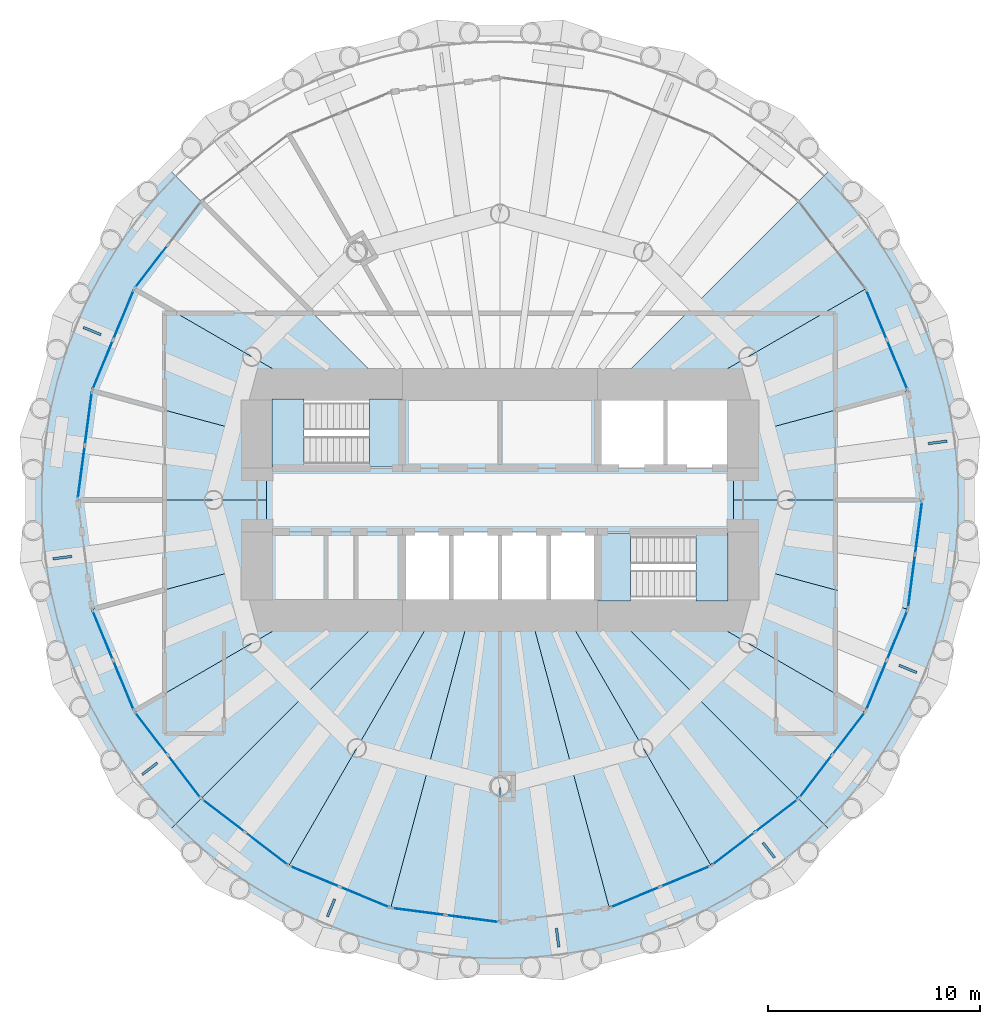
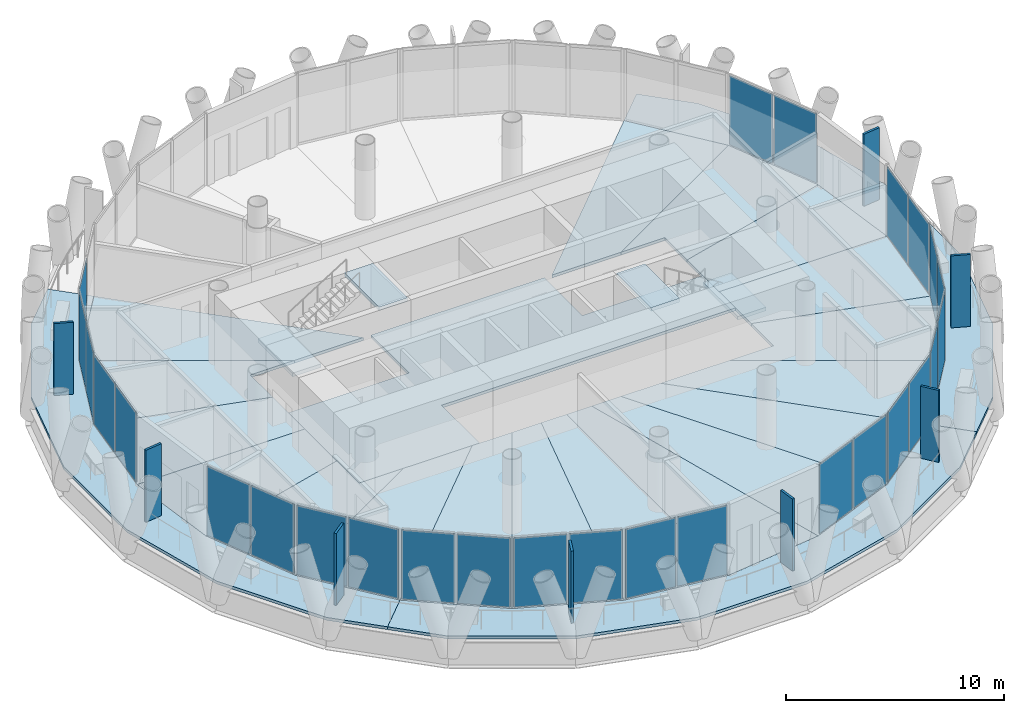
# One storey, part 8 of 16: 35 plates, 26 slabs, 16 elements without a shape of their own.
"""IFC4 building model written with IfcOpenShell, lengths in metres."""

from ifc_helpers import new_model, si_unit, direction, frame, origin, origin_2d, place, context, subcontext, project, spatial, polyline, rectangle, outline, extrude, material, layer, layer_set, type_object, element, aggregate, save


model = new_model("IFC4")

# Units and contexts
model_context = context("Model", 3, precision=1e-05, world=origin(), true_north=direction((0.0, 1.0)))
body_context = subcontext(model_context, "Body", "Model", "MODEL_VIEW")
ifc_project = project(units=[si_unit("LENGTHUNIT", "METRE"), si_unit("AREAUNIT", "SQUARE_METRE"), si_unit("VOLUMEUNIT", "CUBIC_METRE"), si_unit("PLANEANGLEUNIT", "RADIAN"), si_unit("MASSUNIT", "GRAM", prefix="KILO")], contexts=[model_context])

# Site, building, storey
site_placement = place(None, origin())
site = spatial("IfcSite", under=ifc_project, at=site_placement, CompositionType="ELEMENT")
building_placement = place(site_placement, origin())
building = spatial("IfcBuilding", under=site, at=building_placement, Name="Qaws Media Tower", CompositionType="ELEMENT")
storey_placement = place(building_placement, frame((0.0, 0.0, 252.800048828125)))
storey = spatial("IfcBuildingStorey", under=building, at=storey_placement, Name="L58", CompositionType="ELEMENT", Elevation=252.800048828125)

# Slabs
ifc_material_1 = material(Name="Concrete C35/45", Category="concrete")
ifc_layer_1 = layer(ifc_material_1, 0.159912109375)
ifc_layer_set_1 = layer_set([ifc_layer_1], Name="Composite balcony slab 160")
slab_type_1 = type_object("IfcSlabType", Name="Composite balcony slab 160", PredefinedType="FLOOR", material=ifc_layer_set_1)
slab_1_placement = place(storey_placement, frame((0.0, 0.0, -0.16015625)))
element("IfcSlab", 1, at=slab_1_placement, inside=storey, type_object=slab_type_1, Name="S2 balcony slab L58 R10 to R16, movement joints on R10 and R16", PredefinedType="FLOOR", context=body_context, shape_type="SweptSolid", body=[
    extrude(outline(polyline([(42.30810546875, 36.424560546875), (39.3974609375, 41.46630859375), (37.890869140625, 47.08935546875), (37.890869140625, 52.91064453125), (39.3974609375, 58.53369140625), (42.30810546875, 63.575439453125), (44.366455078125, 65.633544921875), (45.9287109375, 64.0712890625), (42.76611328125, 59.949951171875), (40.778076171875, 55.150390625), (40.10009765625, 50.0), (40.778076171875, 44.849609375), (42.76611328125, 40.050048828125), (45.9287109375, 35.9287109375), (44.366455078125, 34.366455078125), (42.30810546875, 36.424560546875)])), origin(), (0.0, 0.0, 1.0), 0.16015625),
])
slab_2_placement = place(storey_placement, frame((0.0, 0.0, -0.16015625)))
element("IfcSlab", 2, at=slab_2_placement, inside=storey, type_object=slab_type_1, Name="S2 balcony slab L58 R16 to R22, movement joints on R16 and R22", PredefinedType="FLOOR", context=body_context, shape_type="SweptSolid", body=[
    extrude(outline(polyline([(73.575439453125, 32.30810546875), (68.53369140625, 29.3974609375), (62.91064453125, 27.890869140625), (57.08935546875, 27.890869140625), (51.46630859375, 29.3974609375), (46.424560546875, 32.30810546875), (44.366455078125, 34.366455078125), (45.9287109375, 35.9287109375), (50.050048828125, 32.76611328125), (54.849609375, 30.778076171875), (60.0, 30.10009765625), (65.150390625, 30.778076171875), (69.949951171875, 32.76611328125), (74.0712890625, 35.9287109375), (75.633544921875, 34.366455078125), (73.575439453125, 32.30810546875)])), origin(), (0.0, 0.0, 1.0), 0.16015625),
])
slab_3_placement = place(storey_placement, frame((0.0, 0.0, -0.16015625)))
element("IfcSlab", 3, at=slab_3_placement, inside=storey, type_object=slab_type_1, Name="S2 balcony slab L58 R22 to R04, movement joints on R22 and R04", PredefinedType="FLOOR", context=body_context, shape_type="SweptSolid", body=[
    extrude(outline(polyline([(80.6025390625, 41.46630859375), (77.69189453125, 36.424560546875), (75.633544921875, 34.366455078125), (74.0712890625, 35.9287109375), (77.23388671875, 40.050048828125), (79.221923828125, 44.849609375), (79.89990234375, 50.0), (79.221923828125, 55.150390625), (77.23388671875, 59.949951171875), (74.0712890625, 64.0712890625), (75.633544921875, 65.633544921875), (77.69189453125, 63.575439453125), (80.6025390625, 58.53369140625), (82.109130859375, 52.91064453125), (82.109130859375, 47.08935546875), (80.6025390625, 41.46630859375)])), origin(), (0.0, 0.0, 1.0), 0.16015625),
])
ifc_material_2 = material(Name="Concrete C35/45", Category="concrete")
ifc_layer_2 = layer(ifc_material_2, 0.159912109375)
ifc_layer_set_2 = layer_set([ifc_layer_2], Name="Composite floor slab 160")
slab_type_2 = type_object("IfcSlabType", Name="Composite floor slab 160", PredefinedType="FLOOR", material=ifc_layer_set_2)
slab_4_placement = place(storey_placement, frame((0.0, 0.0, -0.16015625)))
element("IfcSlab", 4, at=slab_4_placement, inside=storey, type_object=slab_type_2, Name="S1 core floor slab L58", PredefinedType="FLOOR", context=body_context, shape_type="SweptSolid", body=[
    extrude(outline(polyline([(71.0, 51.5), (71.0, 48.5), (55.39990234375, 48.5), (55.39990234375, 45.0), (49.0, 45.0), (49.0, 51.5), (55.39990234375, 51.5), (55.39990234375, 55.0), (64.60009765625, 55.0), (64.60009765625, 51.5), (71.0, 51.5)])), origin(), (0.0, 0.0, 1.0), 0.16015625),
])
slab_5_placement = place(storey_placement, frame((0.0, 0.0, -0.16015625)))
element("IfcSlab", 5, at=slab_5_placement, inside=storey, type_object=slab_type_2, Name="S1 floor panel L58 on R01+7.5", PredefinedType="FLOOR", context=body_context, shape_type="SweptSolid", body=[
    extrude(outline(polyline([(79.221923828125, 55.150390625), (79.89990234375, 50.0), (71.0, 50.0), (71.0, 52.947509765625), (79.221923828125, 55.150390625)])), origin(), (0.0, 0.0, 1.0), 0.16015625),
])
slab_6_placement = place(storey_placement, frame((0.0, 0.0, -0.16015625)))
element("IfcSlab", 6, at=slab_6_placement, inside=storey, type_object=slab_type_2, Name="S1 floor panel L58 on R02+7.5", PredefinedType="FLOOR", context=body_context, shape_type="SweptSolid", body=[
    extrude(outline(polyline([(77.23388671875, 59.949951171875), (79.221923828125, 55.150390625), (71.0, 52.947509765625), (71.0, 55.0), (68.660400390625, 55.0), (77.23388671875, 59.949951171875)])), origin(), (0.0, 0.0, 1.0), 0.16015625),
])
slab_7_placement = place(storey_placement, frame((0.0, 0.0, -0.16015625)))
element("IfcSlab", 7, at=slab_7_placement, inside=storey, type_object=slab_type_2, Name="S1 floor panel L58 on R03+7.5", PredefinedType="FLOOR", context=body_context, shape_type="SweptSolid", body=[
    extrude(outline(polyline([(77.23388671875, 59.949951171875), (68.660400390625, 55.0), (65.0, 55.0), (74.0712890625, 64.0712890625), (77.23388671875, 59.949951171875)])), origin(), (0.0, 0.0, 1.0), 0.16015625),
])
slab_8_placement = place(storey_placement, frame((0.0, 0.0, -0.16015625)))
element("IfcSlab", 8, at=slab_8_placement, inside=storey, type_object=slab_type_2, Name="S1 floor panel L58 on R10+7.5", PredefinedType="FLOOR", context=body_context, shape_type="SweptSolid", body=[
    extrude(outline(polyline([(45.9287109375, 64.0712890625), (55.0, 55.0), (51.339599609375, 55.0), (42.76611328125, 59.949951171875), (45.9287109375, 64.0712890625)])), origin(), (0.0, 0.0, 1.0), 0.16015625),
])
slab_9_placement = place(storey_placement, frame((0.0, 0.0, -0.16015625)))
element("IfcSlab", 9, at=slab_9_placement, inside=storey, type_object=slab_type_2, Name="S1 floor panel L58 on R11+7.5", PredefinedType="FLOOR", context=body_context, shape_type="SweptSolid", body=[
    extrude(outline(polyline([(40.778076171875, 55.150390625), (42.76611328125, 59.949951171875), (51.339599609375, 55.0), (49.0, 55.0), (49.0, 52.947509765625), (40.778076171875, 55.150390625)])), origin(), (0.0, 0.0, 1.0), 0.16015625),
])
slab_10_placement = place(storey_placement, frame((0.0, 0.0, -0.16015625)))
element("IfcSlab", 10, at=slab_10_placement, inside=storey, type_object=slab_type_2, Name="S1 floor panel L58 on R12+7.5", PredefinedType="FLOOR", context=body_context, shape_type="SweptSolid", body=[
    extrude(outline(polyline([(40.778076171875, 55.150390625), (49.0, 52.947509765625), (49.0, 50.0), (40.10009765625, 50.0), (40.778076171875, 55.150390625)])), origin(), (0.0, 0.0, 1.0), 0.16015625),
])
slab_11_placement = place(storey_placement, frame((0.0, 0.0, -0.16015625)))
element("IfcSlab", 11, at=slab_11_placement, inside=storey, type_object=slab_type_2, Name="S1 floor panel L58 on R13+7.5", PredefinedType="FLOOR", context=body_context, shape_type="SweptSolid", body=[
    extrude(outline(polyline([(40.778076171875, 44.849609375), (40.10009765625, 50.0), (49.0, 50.0), (49.0, 47.052490234375), (40.778076171875, 44.849609375)])), origin(), (0.0, 0.0, 1.0), 0.16015625),
])
slab_12_placement = place(storey_placement, frame((0.0, 0.0, -0.16015625)))
element("IfcSlab", 12, at=slab_12_placement, inside=storey, type_object=slab_type_2, Name="S1 floor panel L58 on R14+7.5", PredefinedType="FLOOR", context=body_context, shape_type="SweptSolid", body=[
    extrude(outline(polyline([(42.76611328125, 40.050048828125), (40.778076171875, 44.849609375), (49.0, 47.052490234375), (49.0, 45.0), (51.339599609375, 45.0), (42.76611328125, 40.050048828125)])), origin(), (0.0, 0.0, 1.0), 0.16015625),
])
slab_13_placement = place(storey_placement, frame((0.0, 0.0, -0.16015625)))
element("IfcSlab", 13, at=slab_13_placement, inside=storey, type_object=slab_type_2, Name="S1 floor panel L58 on R15+7.5", PredefinedType="FLOOR", context=body_context, shape_type="SweptSolid", body=[
    extrude(outline(polyline([(42.76611328125, 40.050048828125), (51.339599609375, 45.0), (55.0, 45.0), (45.9287109375, 35.9287109375), (42.76611328125, 40.050048828125)])), origin(), (0.0, 0.0, 1.0), 0.16015625),
])
slab_14_placement = place(storey_placement, frame((0.0, 0.0, -0.16015625)))
element("IfcSlab", 14, at=slab_14_placement, inside=storey, type_object=slab_type_2, Name="S1 floor panel L58 on R16+7.5", PredefinedType="FLOOR", context=body_context, shape_type="SweptSolid", body=[
    extrude(outline(polyline([(45.9287109375, 35.9287109375), (55.0, 45.0), (57.11328125, 45.0), (50.050048828125, 32.76611328125), (45.9287109375, 35.9287109375)])), origin(), (0.0, 0.0, 1.0), 0.16015625),
])
slab_15_placement = place(storey_placement, frame((0.0, 0.0, -0.16015625)))
element("IfcSlab", 15, at=slab_15_placement, inside=storey, type_object=slab_type_2, Name="S1 floor panel L58 on R17+7.5", PredefinedType="FLOOR", context=body_context, shape_type="SweptSolid", body=[
    extrude(outline(polyline([(50.050048828125, 32.76611328125), (57.11328125, 45.0), (58.660400390625, 45.0), (54.849609375, 30.778076171875), (50.050048828125, 32.76611328125)])), origin(), (0.0, 0.0, 1.0), 0.16015625),
])
slab_16_placement = place(storey_placement, frame((0.0, 0.0, -0.16015625)))
element("IfcSlab", 16, at=slab_16_placement, inside=storey, type_object=slab_type_2, Name="S1 floor panel L58 on R18+7.5", PredefinedType="FLOOR", context=body_context, shape_type="SweptSolid", body=[
    extrude(outline(polyline([(54.849609375, 30.778076171875), (58.660400390625, 45.0), (60.0, 45.0), (60.0, 30.10009765625), (54.849609375, 30.778076171875)])), origin(), (0.0, 0.0, 1.0), 0.16015625),
])
slab_17_placement = place(storey_placement, frame((0.0, 0.0, -0.16015625)))
element("IfcSlab", 17, at=slab_17_placement, inside=storey, type_object=slab_type_2, Name="S1 floor panel L58 on R19+7.5", PredefinedType="FLOOR", context=body_context, shape_type="SweptSolid", body=[
    extrude(outline(polyline([(65.150390625, 30.778076171875), (60.0, 30.10009765625), (60.0, 45.0), (61.339599609375, 45.0), (65.150390625, 30.778076171875)])), origin(), (0.0, 0.0, 1.0), 0.16015625),
])
slab_18_placement = place(storey_placement, frame((0.0, 0.0, -0.16015625)))
element("IfcSlab", 18, at=slab_18_placement, inside=storey, type_object=slab_type_2, Name="S1 floor panel L58 on R20+7.5", PredefinedType="FLOOR", context=body_context, shape_type="SweptSolid", body=[
    extrude(outline(polyline([(69.949951171875, 32.76611328125), (65.150390625, 30.778076171875), (61.339599609375, 45.0), (62.88671875, 45.0), (69.949951171875, 32.76611328125)])), origin(), (0.0, 0.0, 1.0), 0.16015625),
])
slab_19_placement = place(storey_placement, frame((0.0, 0.0, -0.16015625)))
element("IfcSlab", 19, at=slab_19_placement, inside=storey, type_object=slab_type_2, Name="S1 floor panel L58 on R21+7.5", PredefinedType="FLOOR", context=body_context, shape_type="SweptSolid", body=[
    extrude(outline(polyline([(69.949951171875, 32.76611328125), (62.88671875, 45.0), (65.0, 45.0), (74.0712890625, 35.9287109375), (69.949951171875, 32.76611328125)])), origin(), (0.0, 0.0, 1.0), 0.16015625),
])
slab_20_placement = place(storey_placement, frame((0.0, 0.0, -0.16015625)))
element("IfcSlab", 20, at=slab_20_placement, inside=storey, type_object=slab_type_2, Name="S1 floor panel L58 on R22+7.5", PredefinedType="FLOOR", context=body_context, shape_type="SweptSolid", body=[
    extrude(outline(polyline([(74.0712890625, 35.9287109375), (65.0, 45.0), (68.660400390625, 45.0), (77.23388671875, 40.050048828125), (74.0712890625, 35.9287109375)])), origin(), (0.0, 0.0, 1.0), 0.16015625),
])
slab_21_placement = place(storey_placement, frame((0.0, 0.0, -0.16015625)))
element("IfcSlab", 21, at=slab_21_placement, inside=storey, type_object=slab_type_2, Name="S1 floor panel L58 on R23+7.5", PredefinedType="FLOOR", context=body_context, shape_type="SweptSolid", body=[
    extrude(outline(polyline([(79.221923828125, 44.849609375), (77.23388671875, 40.050048828125), (68.660400390625, 45.0), (71.0, 45.0), (71.0, 47.052490234375), (79.221923828125, 44.849609375)])), origin(), (0.0, 0.0, 1.0), 0.16015625),
])
slab_22_placement = place(storey_placement, frame((0.0, 0.0, -0.16015625)))
element("IfcSlab", 22, at=slab_22_placement, inside=storey, type_object=slab_type_2, Name="S1 floor panel L58 on R24+7.5", PredefinedType="FLOOR", context=body_context, shape_type="SweptSolid", body=[
    extrude(outline(polyline([(79.221923828125, 44.849609375), (71.0, 47.052490234375), (71.0, 50.0), (79.89990234375, 50.0), (79.221923828125, 44.849609375)])), origin(), (0.0, 0.0, 1.0), 0.16015625),
])

# Curtain wall, plates
ifc_material_3 = material(Name="Aluminium and clear glass", Category="aluminium")
curtain_wall_type = type_object("IfcCurtainWallType", Name="Unitised curtain wall CW-C", PredefinedType="NOTDEFINED", material=ifc_material_3)
curtain_wall_1_placement = place(storey_placement, origin())
curtain_wall_1 = element("IfcCurtainWall", 23, at=curtain_wall_1_placement, inside=storey, type_object=curtain_wall_type, Name="CWC curtain wall L58-02", PredefinedType="NOTDEFINED")
ifc_material_4 = material(Name="Clear laminated double glazing", Category="glass")
ifc_layer_3 = layer(ifc_material_4, 0.031982421875)
ifc_layer_set_3 = layer_set([ifc_layer_3], Name="Curtain wall glass unit 32")
plate_type_1 = type_object("IfcPlateType", Name="Curtain wall glass unit 32", PredefinedType="CURTAIN_PANEL", material=ifc_layer_set_3)
plate_1_placement = place(storey_placement, frame((78.71728515625, 56.368896484375, 0.080078125), z_axis=(0.0, 0.0, 1.0), x_axis=(-0.382683365528, 0.923879560196, 0.0)))
plate_1 = element("IfcPlate", 24, at=plate_1_placement, type_object=plate_type_1, Name="CWC panel 1.1", PredefinedType="CURTAIN_PANEL", context=body_context, shape_type="SweptSolid", body=[
    extrude(rectangle(XDim=2.4775390625, YDim=0.031982421875, at=origin_2d()), origin(), (0.0, 0.0, 1.0), 3.8798828125),
])
plate_2_placement = place(storey_placement, frame((77.738525390625, 58.731689453125, 0.080078125), z_axis=(0.0, 0.0, 1.0), x_axis=(-0.382683365528, 0.923879560196, 0.0)))
plate_2 = element("IfcPlate", 25, at=plate_2_placement, type_object=plate_type_1, Name="CWC panel 2.1", PredefinedType="CURTAIN_PANEL", context=body_context, shape_type="SweptSolid", body=[
    extrude(rectangle(XDim=2.4775390625, YDim=0.031982421875, at=origin_2d()), origin(), (0.0, 0.0, 1.0), 3.8798828125),
])
aggregate(curtain_wall_1, [plate_1, plate_2])

# Curtain wall, plate
curtain_wall_2_placement = place(storey_placement, origin())
curtain_wall_2 = element("IfcCurtainWall", 26, at=curtain_wall_2_placement, inside=storey, type_object=curtain_wall_type, Name="CWC curtain wall L58-10", PredefinedType="NOTDEFINED")
plate_3_placement = place(storey_placement, frame((43.56884765625, 60.996337890625, 0.080078125), z_axis=(0.0, 0.0, 1.0), x_axis=(-0.608761473664, -0.793353306026, 0.0)))
plate_3 = element("IfcPlate", 27, at=plate_3_placement, type_object=plate_type_1, Name="CWC panel 2.1", PredefinedType="CURTAIN_PANEL", context=body_context, shape_type="SweptSolid", body=[
    extrude(rectangle(XDim=2.4775390625, YDim=0.031982421875, at=origin_2d()), origin(), (0.0, 0.0, 1.0), 3.8798828125),
])
aggregate(curtain_wall_2, [plate_3])

# Curtain wall, plates
curtain_wall_3_placement = place(storey_placement, origin())
curtain_wall_3 = element("IfcCurtainWall", 28, at=curtain_wall_3_placement, inside=storey, type_object=curtain_wall_type, Name="CWC curtain wall L58-11", PredefinedType="NOTDEFINED")
plate_4_placement = place(storey_placement, frame((42.261474609375, 58.731689453125, 0.080078125), z_axis=(0.0, 0.0, 1.0), x_axis=(-0.382683365528, -0.923879560196, 0.0)))
plate_4 = element("IfcPlate", 29, at=plate_4_placement, type_object=plate_type_1, Name="CWC panel 1.1", PredefinedType="CURTAIN_PANEL", context=body_context, shape_type="SweptSolid", body=[
    extrude(rectangle(XDim=2.4775390625, YDim=0.031982421875, at=origin_2d()), origin(), (0.0, 0.0, 1.0), 3.8798828125),
])
plate_5_placement = place(storey_placement, frame((41.28271484375, 56.368896484375, 0.080078125), z_axis=(0.0, 0.0, 1.0), x_axis=(-0.382683365528, -0.923879560196, 0.0)))
plate_5 = element("IfcPlate", 30, at=plate_5_placement, type_object=plate_type_1, Name="CWC panel 2.1", PredefinedType="CURTAIN_PANEL", context=body_context, shape_type="SweptSolid", body=[
    extrude(rectangle(XDim=2.4775390625, YDim=0.031982421875, at=origin_2d()), origin(), (0.0, 0.0, 1.0), 3.8798828125),
])
aggregate(curtain_wall_3, [plate_4, plate_5])

curtain_wall_4_placement = place(storey_placement, origin())
curtain_wall_4 = element("IfcCurtainWall", 31, at=curtain_wall_4_placement, inside=storey, type_object=curtain_wall_type, Name="CWC curtain wall L58-12", PredefinedType="NOTDEFINED")
plate_6_placement = place(storey_placement, frame((40.60595703125, 53.843017578125, 0.080078125), z_axis=(0.0, 0.0, 1.0), x_axis=(-0.130526181405, -0.991444862798, 0.0)))
plate_6 = element("IfcPlate", 32, at=plate_6_placement, type_object=plate_type_1, Name="CWC panel 1.1", PredefinedType="CURTAIN_PANEL", context=body_context, shape_type="SweptSolid", body=[
    extrude(rectangle(XDim=2.4775390625, YDim=0.031982421875, at=origin_2d()), origin(), (0.0, 0.0, 1.0), 3.8798828125),
])
plate_7_placement = place(storey_placement, frame((40.272216796875, 51.307373046875, 0.080078125), z_axis=(0.0, 0.0, 1.0), x_axis=(-0.130526181405, -0.991444862798, 0.0)))
plate_7 = element("IfcPlate", 33, at=plate_7_placement, type_object=plate_type_1, Name="CWC panel 2.1", PredefinedType="CURTAIN_PANEL", context=body_context, shape_type="SweptSolid", body=[
    extrude(rectangle(XDim=2.4775390625, YDim=0.031982421875, at=origin_2d()), origin(), (0.0, 0.0, 1.0), 3.8798828125),
])
aggregate(curtain_wall_4, [plate_6, plate_7])

curtain_wall_5_placement = place(storey_placement, origin())
curtain_wall_5 = element("IfcCurtainWall", 34, at=curtain_wall_5_placement, inside=storey, type_object=curtain_wall_type, Name="CWC curtain wall L58-14", PredefinedType="NOTDEFINED")
plate_8_placement = place(storey_placement, frame((41.28271484375, 43.631103515625, 0.080078125), z_axis=(0.0, 0.0, 1.0), x_axis=(0.382683365528, -0.923879560196, 0.0)))
plate_8 = element("IfcPlate", 35, at=plate_8_placement, type_object=plate_type_1, Name="CWC panel 1.1", PredefinedType="CURTAIN_PANEL", context=body_context, shape_type="SweptSolid", body=[
    extrude(rectangle(XDim=2.4775390625, YDim=0.031982421875, at=origin_2d()), origin(), (0.0, 0.0, 1.0), 3.8798828125),
])
plate_9_placement = place(storey_placement, frame((42.261474609375, 41.268310546875, 0.080078125), z_axis=(0.0, 0.0, 1.0), x_axis=(0.382683365528, -0.923879560196, 0.0)))
plate_9 = element("IfcPlate", 36, at=plate_9_placement, type_object=plate_type_1, Name="CWC panel 2.1", PredefinedType="CURTAIN_PANEL", context=body_context, shape_type="SweptSolid", body=[
    extrude(rectangle(XDim=2.4775390625, YDim=0.031982421875, at=origin_2d()), origin(), (0.0, 0.0, 1.0), 3.8798828125),
])
aggregate(curtain_wall_5, [plate_8, plate_9])

curtain_wall_6_placement = place(storey_placement, origin())
curtain_wall_6 = element("IfcCurtainWall", 37, at=curtain_wall_6_placement, inside=storey, type_object=curtain_wall_type, Name="CWC curtain wall L58-15", PredefinedType="NOTDEFINED")
plate_10_placement = place(storey_placement, frame((43.56884765625, 39.003662109375, 0.080078125), z_axis=(0.0, 0.0, 1.0), x_axis=(0.608761473664, -0.793353306026, 0.0)))
plate_10 = element("IfcPlate", 38, at=plate_10_placement, type_object=plate_type_1, Name="CWC panel 1.1", PredefinedType="CURTAIN_PANEL", context=body_context, shape_type="SweptSolid", body=[
    extrude(rectangle(XDim=2.4775390625, YDim=0.031982421875, at=origin_2d()), origin(), (0.0, 0.0, 1.0), 3.8798828125),
])
plate_11_placement = place(storey_placement, frame((45.125732421875, 36.974853515625, 0.080078125), z_axis=(0.0, 0.0, 1.0), x_axis=(0.608761473664, -0.793353306026, 0.0)))
plate_11 = element("IfcPlate", 39, at=plate_11_placement, type_object=plate_type_1, Name="CWC panel 2.1", PredefinedType="CURTAIN_PANEL", context=body_context, shape_type="SweptSolid", body=[
    extrude(rectangle(XDim=2.4775390625, YDim=0.031982421875, at=origin_2d()), origin(), (0.0, 0.0, 1.0), 3.8798828125),
])
aggregate(curtain_wall_6, [plate_10, plate_11])

curtain_wall_7_placement = place(storey_placement, origin())
curtain_wall_7 = element("IfcCurtainWall", 40, at=curtain_wall_7_placement, inside=storey, type_object=curtain_wall_type, Name="CWC curtain wall L58-16", PredefinedType="NOTDEFINED")
plate_12_placement = place(storey_placement, frame((46.974853515625, 35.125732421875, 0.080078125), z_axis=(0.0, 0.0, 1.0), x_axis=(0.793353306026, -0.608761473664, 0.0)))
plate_12 = element("IfcPlate", 41, at=plate_12_placement, type_object=plate_type_1, Name="CWC panel 1.1", PredefinedType="CURTAIN_PANEL", context=body_context, shape_type="SweptSolid", body=[
    extrude(rectangle(XDim=2.4775390625, YDim=0.031982421875, at=origin_2d()), origin(), (0.0, 0.0, 1.0), 3.8798828125),
])
plate_13_placement = place(storey_placement, frame((49.003662109375, 33.56884765625, 0.080078125), z_axis=(0.0, 0.0, 1.0), x_axis=(0.793353306026, -0.608761473664, 0.0)))
plate_13 = element("IfcPlate", 42, at=plate_13_placement, type_object=plate_type_1, Name="CWC panel 2.1", PredefinedType="CURTAIN_PANEL", context=body_context, shape_type="SweptSolid", body=[
    extrude(rectangle(XDim=2.4775390625, YDim=0.031982421875, at=origin_2d()), origin(), (0.0, 0.0, 1.0), 3.8798828125),
])
aggregate(curtain_wall_7, [plate_12, plate_13])

curtain_wall_8_placement = place(storey_placement, origin())
curtain_wall_8 = element("IfcCurtainWall", 43, at=curtain_wall_8_placement, inside=storey, type_object=curtain_wall_type, Name="CWC curtain wall L58-17", PredefinedType="NOTDEFINED")
plate_14_placement = place(storey_placement, frame((51.268310546875, 32.261474609375, 0.080078125), z_axis=(0.0, 0.0, 1.0), x_axis=(0.923879560196, -0.382683365528, 0.0)))
plate_14 = element("IfcPlate", 44, at=plate_14_placement, type_object=plate_type_1, Name="CWC panel 1.1", PredefinedType="CURTAIN_PANEL", context=body_context, shape_type="SweptSolid", body=[
    extrude(rectangle(XDim=2.4775390625, YDim=0.031982421875, at=origin_2d()), origin(), (0.0, 0.0, 1.0), 3.8798828125),
])
plate_15_placement = place(storey_placement, frame((53.631103515625, 31.28271484375, 0.080078125), z_axis=(0.0, 0.0, 1.0), x_axis=(0.923879560196, -0.382683365528, 0.0)))
plate_15 = element("IfcPlate", 45, at=plate_15_placement, type_object=plate_type_1, Name="CWC panel 2.1", PredefinedType="CURTAIN_PANEL", context=body_context, shape_type="SweptSolid", body=[
    extrude(rectangle(XDim=2.4775390625, YDim=0.031982421875, at=origin_2d()), origin(), (0.0, 0.0, 1.0), 3.8798828125),
])
aggregate(curtain_wall_8, [plate_14, plate_15])

curtain_wall_9_placement = place(storey_placement, origin())
curtain_wall_9 = element("IfcCurtainWall", 46, at=curtain_wall_9_placement, inside=storey, type_object=curtain_wall_type, Name="CWC curtain wall L58-18", PredefinedType="NOTDEFINED")
plate_16_placement = place(storey_placement, frame((56.156982421875, 30.60595703125, 0.080078125), z_axis=(0.0, 0.0, 1.0), x_axis=(0.991444862798, -0.130526181405, 0.0)))
plate_16 = element("IfcPlate", 47, at=plate_16_placement, type_object=plate_type_1, Name="CWC panel 1.1", PredefinedType="CURTAIN_PANEL", context=body_context, shape_type="SweptSolid", body=[
    extrude(rectangle(XDim=2.4775390625, YDim=0.031982421875, at=origin_2d()), origin(), (0.0, 0.0, 1.0), 3.8798828125),
])
plate_17_placement = place(storey_placement, frame((58.692626953125, 30.272216796875, 0.080078125), z_axis=(0.0, 0.0, 1.0), x_axis=(0.991444862798, -0.130526181405, 0.0)))
plate_17 = element("IfcPlate", 48, at=plate_17_placement, type_object=plate_type_1, Name="CWC panel 2.1", PredefinedType="CURTAIN_PANEL", context=body_context, shape_type="SweptSolid", body=[
    extrude(rectangle(XDim=2.4775390625, YDim=0.031982421875, at=origin_2d()), origin(), (0.0, 0.0, 1.0), 3.8798828125),
])
aggregate(curtain_wall_9, [plate_16, plate_17])

curtain_wall_10_placement = place(storey_placement, origin())
curtain_wall_10 = element("IfcCurtainWall", 49, at=curtain_wall_10_placement, inside=storey, type_object=curtain_wall_type, Name="CWC curtain wall L58-20", PredefinedType="NOTDEFINED")
plate_18_placement = place(storey_placement, frame((66.368896484375, 31.28271484375, 0.080078125), z_axis=(0.0, 0.0, 1.0), x_axis=(0.923879560196, 0.382683365528, 0.0)))
plate_18 = element("IfcPlate", 50, at=plate_18_placement, type_object=plate_type_1, Name="CWC panel 1.1", PredefinedType="CURTAIN_PANEL", context=body_context, shape_type="SweptSolid", body=[
    extrude(rectangle(XDim=2.4775390625, YDim=0.031982421875, at=origin_2d()), origin(), (0.0, 0.0, 1.0), 3.8798828125),
])
plate_19_placement = place(storey_placement, frame((68.731689453125, 32.261474609375, 0.080078125), z_axis=(0.0, 0.0, 1.0), x_axis=(0.923879560196, 0.382683365528, 0.0)))
plate_19 = element("IfcPlate", 51, at=plate_19_placement, type_object=plate_type_1, Name="CWC panel 2.1", PredefinedType="CURTAIN_PANEL", context=body_context, shape_type="SweptSolid", body=[
    extrude(rectangle(XDim=2.4775390625, YDim=0.031982421875, at=origin_2d()), origin(), (0.0, 0.0, 1.0), 3.8798828125),
])
aggregate(curtain_wall_10, [plate_18, plate_19])

curtain_wall_11_placement = place(storey_placement, origin())
curtain_wall_11 = element("IfcCurtainWall", 52, at=curtain_wall_11_placement, inside=storey, type_object=curtain_wall_type, Name="CWC curtain wall L58-21", PredefinedType="NOTDEFINED")
plate_20_placement = place(storey_placement, frame((70.996337890625, 33.56884765625, 0.080078125), z_axis=(0.0, 0.0, 1.0), x_axis=(0.793353306026, 0.608761473664, 0.0)))
plate_20 = element("IfcPlate", 53, at=plate_20_placement, type_object=plate_type_1, Name="CWC panel 1.1", PredefinedType="CURTAIN_PANEL", context=body_context, shape_type="SweptSolid", body=[
    extrude(rectangle(XDim=2.4775390625, YDim=0.031982421875, at=origin_2d()), origin(), (0.0, 0.0, 1.0), 3.8798828125),
])
plate_21_placement = place(storey_placement, frame((73.025146484375, 35.125732421875, 0.080078125), z_axis=(0.0, 0.0, 1.0), x_axis=(0.793353306026, 0.608761473664, 0.0)))
plate_21 = element("IfcPlate", 54, at=plate_21_placement, type_object=plate_type_1, Name="CWC panel 2.1", PredefinedType="CURTAIN_PANEL", context=body_context, shape_type="SweptSolid", body=[
    extrude(rectangle(XDim=2.4775390625, YDim=0.031982421875, at=origin_2d()), origin(), (0.0, 0.0, 1.0), 3.8798828125),
])
aggregate(curtain_wall_11, [plate_20, plate_21])

curtain_wall_12_placement = place(storey_placement, origin())
curtain_wall_12 = element("IfcCurtainWall", 55, at=curtain_wall_12_placement, inside=storey, type_object=curtain_wall_type, Name="CWC curtain wall L58-22", PredefinedType="NOTDEFINED")
plate_22_placement = place(storey_placement, frame((74.874267578125, 36.974853515625, 0.080078125), z_axis=(0.0, 0.0, 1.0), x_axis=(0.608761473664, 0.793353306026, 0.0)))
plate_22 = element("IfcPlate", 56, at=plate_22_placement, type_object=plate_type_1, Name="CWC panel 1.1", PredefinedType="CURTAIN_PANEL", context=body_context, shape_type="SweptSolid", body=[
    extrude(rectangle(XDim=2.4775390625, YDim=0.031982421875, at=origin_2d()), origin(), (0.0, 0.0, 1.0), 3.8798828125),
])
plate_23_placement = place(storey_placement, frame((76.43115234375, 39.003662109375, 0.080078125), z_axis=(0.0, 0.0, 1.0), x_axis=(0.608761473664, 0.793353306026, 0.0)))
plate_23 = element("IfcPlate", 57, at=plate_23_placement, type_object=plate_type_1, Name="CWC panel 2.1", PredefinedType="CURTAIN_PANEL", context=body_context, shape_type="SweptSolid", body=[
    extrude(rectangle(XDim=2.4775390625, YDim=0.031982421875, at=origin_2d()), origin(), (0.0, 0.0, 1.0), 3.8798828125),
])
aggregate(curtain_wall_12, [plate_22, plate_23])

curtain_wall_13_placement = place(storey_placement, origin())
curtain_wall_13 = element("IfcCurtainWall", 58, at=curtain_wall_13_placement, inside=storey, type_object=curtain_wall_type, Name="CWC curtain wall L58-23", PredefinedType="NOTDEFINED")
plate_24_placement = place(storey_placement, frame((77.738525390625, 41.268310546875, 0.080078125), z_axis=(0.0, 0.0, 1.0), x_axis=(0.382683365528, 0.923879560196, 0.0)))
plate_24 = element("IfcPlate", 59, at=plate_24_placement, type_object=plate_type_1, Name="CWC panel 1.1", PredefinedType="CURTAIN_PANEL", context=body_context, shape_type="SweptSolid", body=[
    extrude(rectangle(XDim=2.4775390625, YDim=0.031982421875, at=origin_2d()), origin(), (0.0, 0.0, 1.0), 3.8798828125),
])
plate_25_placement = place(storey_placement, frame((78.71728515625, 43.631103515625, 0.080078125), z_axis=(0.0, 0.0, 1.0), x_axis=(0.382683365528, 0.923879560196, 0.0)))
plate_25 = element("IfcPlate", 60, at=plate_25_placement, type_object=plate_type_1, Name="CWC panel 2.1", PredefinedType="CURTAIN_PANEL", context=body_context, shape_type="SweptSolid", body=[
    extrude(rectangle(XDim=2.4775390625, YDim=0.031982421875, at=origin_2d()), origin(), (0.0, 0.0, 1.0), 3.8798828125),
])
aggregate(curtain_wall_13, [plate_24, plate_25])

curtain_wall_14_placement = place(storey_placement, origin())
curtain_wall_14 = element("IfcCurtainWall", 61, at=curtain_wall_14_placement, inside=storey, type_object=curtain_wall_type, Name="CWC curtain wall L58-24", PredefinedType="NOTDEFINED")
plate_26_placement = place(storey_placement, frame((79.39404296875, 46.156982421875, 0.080078125), z_axis=(0.0, 0.0, 1.0), x_axis=(0.130526181405, 0.991444862798, 0.0)))
plate_26 = element("IfcPlate", 62, at=plate_26_placement, type_object=plate_type_1, Name="CWC panel 1.1", PredefinedType="CURTAIN_PANEL", context=body_context, shape_type="SweptSolid", body=[
    extrude(rectangle(XDim=2.4775390625, YDim=0.031982421875, at=origin_2d()), origin(), (0.0, 0.0, 1.0), 3.8798828125),
])
plate_27_placement = place(storey_placement, frame((79.727783203125, 48.692626953125, 0.080078125), z_axis=(0.0, 0.0, 1.0), x_axis=(0.130526181405, 0.991444862798, 0.0)))
plate_27 = element("IfcPlate", 63, at=plate_27_placement, type_object=plate_type_1, Name="CWC panel 2.1", PredefinedType="CURTAIN_PANEL", context=body_context, shape_type="SweptSolid", body=[
    extrude(rectangle(XDim=2.4775390625, YDim=0.031982421875, at=origin_2d()), origin(), (0.0, 0.0, 1.0), 3.8798828125),
])
aggregate(curtain_wall_14, [plate_26, plate_27])

# Plates
ifc_material_5 = material(Name="Precast concrete screen fin", Category="concrete")
ifc_layer_4 = layer(ifc_material_5, 0.1201171875)
ifc_layer_set_4 = layer_set([ifc_layer_4], Name="Screen fin 120x900")
plate_type_2 = type_object("IfcPlateType", Name="Screen fin 120x900", PredefinedType="USERDEFINED", material=ifc_layer_set_4)
for number, where, z_axis, x_axis, name in (
    (64, (80.6220703125, 52.71484375, 0.0), (0.0, 0.0, 1.0), (0.991444861374, 0.13052619222, 0.0), "SCR1 screen fin L58-01"),
    (65, (40.783203125, 57.959716796875, 0.0), (0.0, 0.0, 1.0), (-0.923879532511, 0.382683432365, 0.0), "SCR1 screen fin L58-06"),
    (66, (39.3779296875, 47.28515625, 0.0), (0.0, 0.0, 1.0), (-0.991444861374, -0.13052619222, 0.0), "SCR1 screen fin L58-07"),
    (67, (43.498291015625, 37.337646484375, 0.0), (0.0, 0.0, 1.0), (-0.793353340291, -0.608761429009, 0.0), "SCR1 screen fin L58-08"),
    (68, (52.040283203125, 30.783203125, 0.0), (0.0, 0.0, 1.0), (-0.382683432365, -0.923879532511, 0.0), "SCR1 screen fin L58-09"),
    (69, (62.71484375, 29.3779296875, 0.0), (0.0, 0.0, 1.0), (0.13052619222, -0.991444861374, 0.0), "SCR1 screen fin L58-10"),
    (70, (72.662353515625, 33.498291015625, 0.0), (0.0, 0.0, 1.0), (0.608761429009, -0.793353340291, 0.0), "SCR1 screen fin L58-11"),
    (71, (79.216796875, 42.040283203125, 0.0), (0.0, 0.0, 1.0), (0.923879532511, -0.382683432365, 0.0), "SCR1 screen fin L58-12"),
):
    element("IfcPlate", number, at=place(storey_placement, frame(where, z_axis=z_axis, x_axis=x_axis)), inside=storey, type_object=plate_type_2, Name=name, ObjectType="SCREEN", PredefinedType="USERDEFINED", context=body_context, shape_type="SweptSolid", body=[
        extrude(rectangle(XDim=0.89990234375, YDim=0.1201171875, at=origin_2d()), origin(), (0.0, 0.0, 1.0), 4.0400390625),
    ])

# Stair, slabs
ifc_material_6 = material(Name="Concrete C40/50", Category="concrete")
stair_type = type_object("IfcStairType", Name="Exit stair", PredefinedType="HALF_TURN_STAIR", material=ifc_material_6)
stair_1_placement = place(storey_placement, origin())
stair_1 = element("IfcStair", 72, at=stair_1_placement, inside=storey, type_object=stair_type, Name="S1 exit stair L58", PredefinedType="HALF_TURN_STAIR")
ifc_material_7 = material(Name="Concrete C40/50", Category="concrete")
ifc_layer_5 = layer(ifc_material_7, 0.199951171875)
ifc_layer_set_5 = layer_set([ifc_layer_5], Name="Stair landing 200")
slab_type_3 = type_object("IfcSlabType", Name="Stair landing 200", PredefinedType="LANDING", material=ifc_layer_set_5)
slab_23_placement = place(storey_placement, frame((0.0, 0.0, 1.89990234375)))
slab_23 = element("IfcSlab", 73, at=slab_23_placement, type_object=slab_type_3, Name="S1 landing 1", PredefinedType="LANDING", context=body_context, shape_type="SweptSolid", body=[
    extrude(outline(polyline([(49.25, 51.550048828125), (50.760009765625, 51.550048828125), (50.760009765625, 54.75), (49.25, 54.75), (49.25, 51.550048828125)])), origin(), (0.0, 0.0, 1.0), 0.199951171875),
])
slab_24_placement = place(storey_placement, frame((0.0, 0.0, 4.0)))
slab_24 = element("IfcSlab", 74, at=slab_24_placement, type_object=slab_type_3, Name="S1 landing 2", PredefinedType="LANDING", context=body_context, shape_type="SweptSolid", body=[
    extrude(outline(polyline([(53.840087890625, 51.550048828125), (55.35009765625, 51.550048828125), (55.35009765625, 54.75), (53.840087890625, 54.75), (53.840087890625, 51.550048828125)])), origin(), (0.0, 0.0, 1.0), 0.199951171875),
])
aggregate(stair_1, [slab_23, slab_24])

stair_2_placement = place(storey_placement, origin())
stair_2 = element("IfcStair", 75, at=stair_2_placement, inside=storey, type_object=stair_type, Name="S2 exit stair L58", PredefinedType="HALF_TURN_STAIR")
slab_25_placement = place(storey_placement, frame((0.0, 0.0, 1.89990234375)))
slab_25 = element("IfcSlab", 76, at=slab_25_placement, type_object=slab_type_3, Name="S2 landing 1", PredefinedType="LANDING", context=body_context, shape_type="SweptSolid", body=[
    extrude(outline(polyline([(69.239990234375, 45.25), (70.75, 45.25), (70.75, 48.449951171875), (69.239990234375, 48.449951171875), (69.239990234375, 45.25)])), origin(), (0.0, 0.0, 1.0), 0.199951171875),
])
slab_26_placement = place(storey_placement, frame((0.0, 0.0, 4.0)))
slab_26 = element("IfcSlab", 77, at=slab_26_placement, type_object=slab_type_3, Name="S2 landing 2", PredefinedType="LANDING", context=body_context, shape_type="SweptSolid", body=[
    extrude(outline(polyline([(64.64990234375, 45.25), (66.159912109375, 45.25), (66.159912109375, 48.449951171875), (64.64990234375, 48.449951171875), (64.64990234375, 45.25)])), origin(), (0.0, 0.0, 1.0), 0.199951171875),
])
aggregate(stair_2, [slab_25, slab_26])

save(model, "model.ifc")
